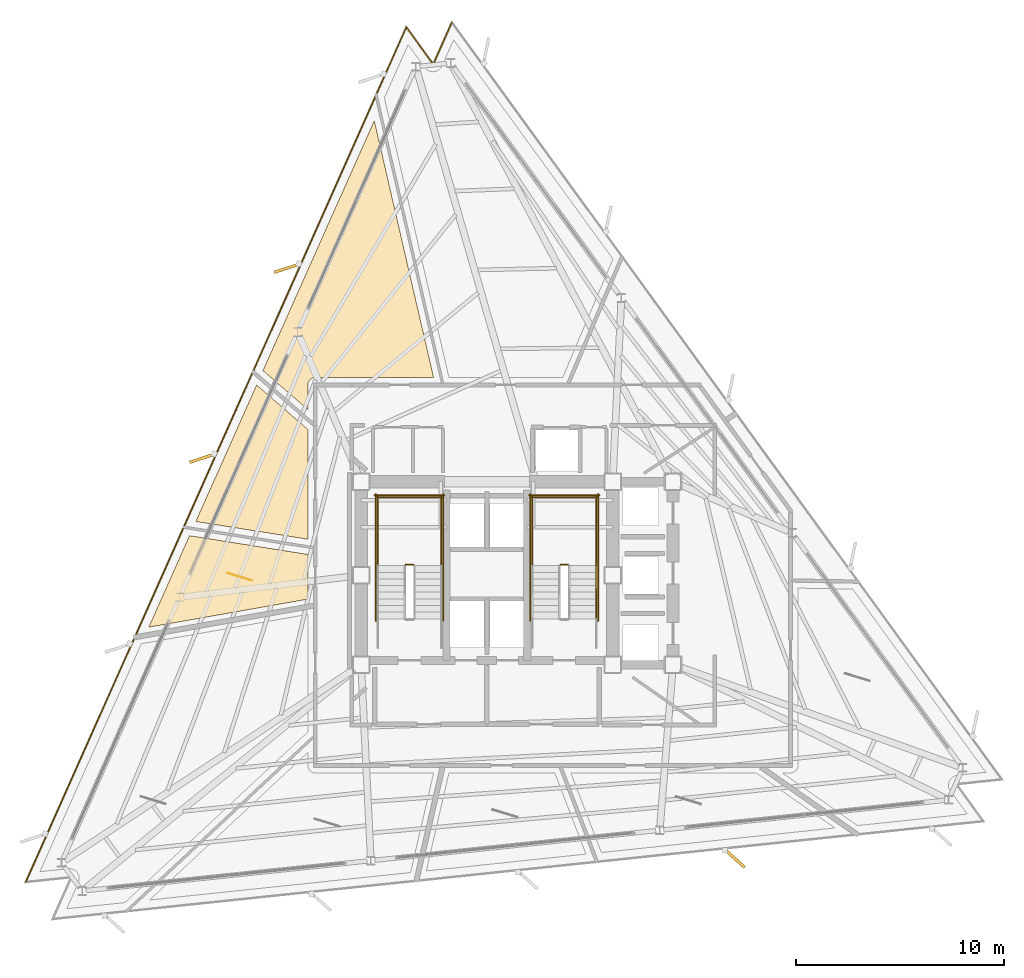
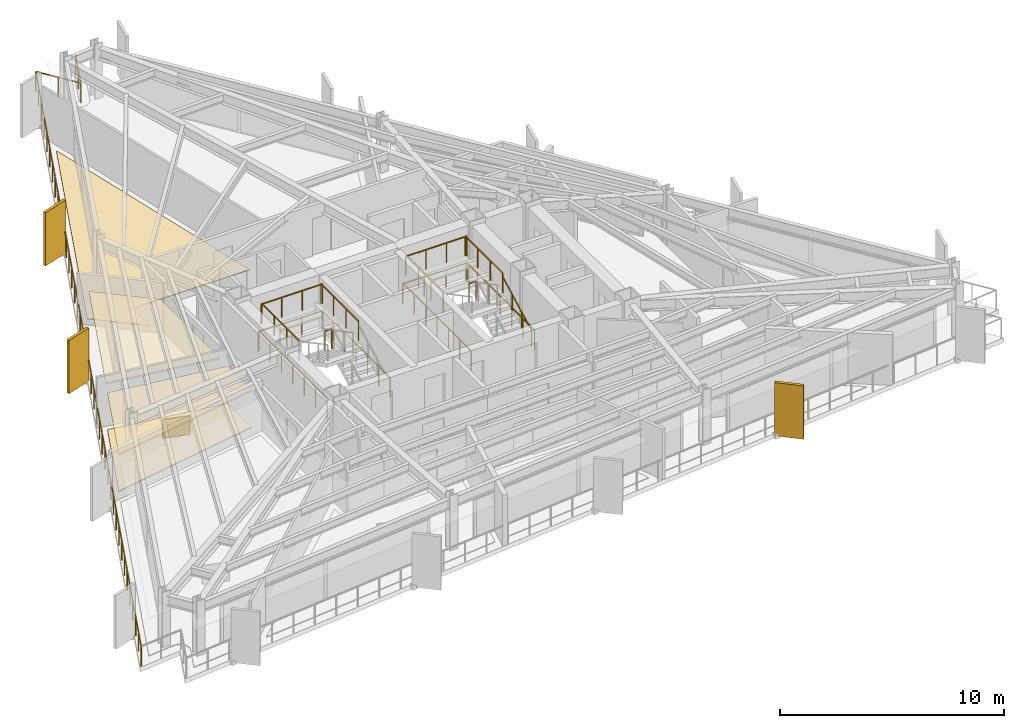
# One storey, part 11 of 12: 16 railings, 5 coverings, 3 shading devices.
"""IFC4 building model written with IfcOpenShell, lengths in metres."""

from ifc_helpers import new_model, si_unit, direction, frame, origin, origin_2d, place, context, subcontext, project, spatial, polyline, rectangle, outline, extrude, material, layer, layer_set, type_object, element, save


model = new_model("IFC4")

# Units and contexts
model_context = context("Model", 3, precision=1e-05, world=origin(), true_north=direction((0.0, 1.0)))
body_context = subcontext(model_context, "Body", "Model", "MODEL_VIEW")
ifc_project = project(units=[si_unit("LENGTHUNIT", "METRE"), si_unit("AREAUNIT", "SQUARE_METRE"), si_unit("VOLUMEUNIT", "CUBIC_METRE"), si_unit("PLANEANGLEUNIT", "RADIAN"), si_unit("MASSUNIT", "GRAM", prefix="KILO")], contexts=[model_context])

# Site, building, storey
site_placement = place(None, origin())
site = spatial("IfcSite", under=ifc_project, at=site_placement, CompositionType="ELEMENT")
building_placement = place(site_placement, origin())
building = spatial("IfcBuilding", under=site, at=building_placement, Name="Rocaltana Carrier Exchange", CompositionType="ELEMENT")
storey_placement = place(building_placement, frame((0.0, 0.0, 116.800048828125)))
storey = spatial("IfcBuildingStorey", under=building, at=storey_placement, Name="L36", CompositionType="ELEMENT", Elevation=116.800048828125)

# Coverings
ifc_material_1 = material(Name="Honed Bogota Sandstone Tile", Category="masonry")
ifc_layer_1 = layer(ifc_material_1, 0.0400390625)
ifc_layer_set_1 = layer_set([ifc_layer_1], Name="Honed Bogota Sandstone Tile")
covering_type_1 = type_object("IfcCoveringType", Name="Honed Stone Lobby Flooring 40", PredefinedType="FLOORING", material=ifc_layer_set_1)
covering_1_placement = place(storey_placement, origin())
element("IfcCovering", 1, at=covering_1_placement, inside=storey, type_object=covering_type_1, Name="L36 Peering Conference Room Finish Floor", PredefinedType="FLOORING", context=body_context, shape_type="SweptSolid", body=[
    extrude(outline(polyline([(-14.3017578125, 1.900634765625), (-8.610107421875, 0.999267578125), (-8.610107421875, -1.152587890625), (-16.26171875, -2.501708984375), (-14.3017578125, 1.900634765625)])), origin(), (0.0, 0.0, 1.0), 0.0400390625),
])
covering_2_placement = place(storey_placement, origin())
element("IfcCovering", 2, at=covering_2_placement, inside=storey, type_object=covering_type_1, Name="L36 Incident Briefing Room Finish Floor", PredefinedType="FLOORING", context=body_context, shape_type="SweptSolid", body=[
    extrude(outline(polyline([(-5.416015625, 21.8583984375), (-2.56494140625, 9.510009765625), (-8.25, 9.510009765625), (-8.263671875, 9.509765625), (-8.271484375, 9.50927734375), (-8.298828125, 9.506591796875), (-8.306640625, 9.50537109375), (-8.33349609375, 9.5), (-8.34130859375, 9.498291015625), (-8.36767578125, 9.490234375), (-8.375, 9.487548828125), (-8.400390625, 9.47705078125), (-8.407470703125, 9.4736328125), (-8.431640625, 9.460693359375), (-8.4384765625, 9.456787109375), (-8.461181640625, 9.44140625), (-8.467529296875, 9.436767578125), (-8.48876953125, 9.419189453125), (-8.49462890625, 9.4140625), (-8.513916015625, 9.39453125), (-8.519287109375, 9.388916015625), (-8.53662109375, 9.367431640625), (-8.54150390625, 9.361083984375), (-8.556640625, 9.33837890625), (-8.560791015625, 9.331787109375), (-8.57373046875, 9.307373046875), (-8.576904296875, 9.30029296875), (-8.58740234375, 9.27490234375), (-8.590087890625, 9.267578125), (-8.59814453125, 9.2412109375), (-8.60009765625, 9.233642578125), (-8.60546875, 9.206787109375), (-8.606689453125, 9.198974609375), (-8.609375, 9.171630859375), (-8.609619140625, 9.163818359375), (-8.610107421875, 9.14990234375), (-8.610107421875, 7.961669921875), (-10.76806640625, 9.83740234375), (-5.416015625, 21.8583984375)])), origin(), (0.0, 0.0, 1.0), 0.0400390625),
])
ifc_material_2 = material(Name="Anodised Aluminium 6063-T6", Category="aluminium")
ifc_layer_2 = layer(ifc_material_2, 0.0849609375)
ifc_layer_set_2 = layer_set([ifc_layer_2], Name="Anodised Aluminium 6063-T6")
covering_type_2 = type_object("IfcCoveringType", Name="Linear Baffle Acoustic Ceiling 85", PredefinedType="CEILING", material=ifc_layer_set_2)
covering_3_placement = place(storey_placement, frame((0.0, 0.0, 1.972900390625)))
element("IfcCovering", 3, at=covering_3_placement, inside=storey, type_object=covering_type_2, Name="L36 Peering Conference Room Acoustic Ceiling", PredefinedType="CEILING", context=body_context, shape_type="SweptSolid", body=[
    extrude(outline(polyline([(-14.3017578125, 1.900634765625), (-8.610107421875, 0.999267578125), (-8.610107421875, -1.152587890625), (-16.26171875, -2.501708984375), (-14.3017578125, 1.900634765625)])), origin(), (0.0, 0.0, 1.0), 0.0849609375),
])
covering_4_placement = place(storey_placement, frame((0.0, 0.0, 1.972900390625)))
element("IfcCovering", 4, at=covering_4_placement, inside=storey, type_object=covering_type_2, Name="L36 Peering Conference Room Acoustic Ceiling", PredefinedType="CEILING", context=body_context, shape_type="SweptSolid", body=[
    extrude(outline(polyline([(-11.07421875, 9.149658203125), (-8.610107421875, 7.007568359375), (-8.610107421875, 1.728271484375), (-13.99853515625, 2.58154296875), (-11.07421875, 9.149658203125)])), origin(), (0.0, 0.0, 1.0), 0.0849609375),
])

# Railings
ifc_material_3 = material(Name="Brushed Architectural Stainless Tube", Category="steel")
ifc_layer_3 = layer(ifc_material_3, 0.048095703125)
ifc_layer_set_3 = layer_set([ifc_layer_3], Name="Brushed Architectural Stainless Tube")
railing_type_1 = type_object("IfcRailingType", Name="Stair Wall Handrail 920", PredefinedType="HANDRAIL", material=ifc_layer_set_3)
railing_1_placement = place(storey_placement, frame((5.25, -2.10009765625, 0.1689453125)))
element("IfcRailing", 5, at=railing_1_placement, inside=storey, type_object=railing_type_1, Name="L36 ST-2 stair handrail 1", PredefinedType="HANDRAIL", context=body_context, shape_type="SweptSolid", body=[
    extrude(rectangle(XDim=0.048095703125, YDim=0.048095703125, at=origin_2d()), frame((0.0, 0.0, 0.8759765625), z_axis=(0.0, 0.884394423565, 0.466740295633), x_axis=(-1.0, 0.0, 0.0)), (0.0, 0.0, 1.0), 2.894775390625),
    extrude(rectangle(XDim=0.0419921875, YDim=0.0419921875, at=origin_2d()), origin(), (0.0, 0.0, 1.0), 0.851806640625),
    extrude(rectangle(XDim=0.0419921875, YDim=0.0419921875, at=origin_2d()), frame((0.0, 0.853271484375, 0.450439453125)), (0.0, 0.0, 1.0), 0.851806640625),
    extrude(rectangle(XDim=0.0419921875, YDim=0.0419921875, at=origin_2d()), frame((0.0, 1.706787109375, 0.900634765625)), (0.0, 0.0, 1.0), 0.851806640625),
    extrude(rectangle(XDim=0.0419921875, YDim=0.0419921875, at=origin_2d()), frame((0.0, 2.56005859375, 1.35107421875)), (0.0, 0.0, 1.0), 0.851806640625),
])
ifc_material_4 = material(Name="Powder-Coated Aluminium 6063-T6", Category="aluminium")
ifc_layer_4 = layer(ifc_material_4, 0.048095703125)
ifc_layer_set_4 = layer_set([ifc_layer_4], Name="Powder-Coated Aluminium 6063-T6")
railing_type_2 = type_object("IfcRailingType", Name="Stair Well Guardrail 1100", PredefinedType="GUARDRAIL", material=ifc_layer_set_4)
railing_2_placement = place(storey_placement, frame((-3.5400390625, 0.510009765625, 1.52001953125)))
element("IfcRailing", 6, at=railing_2_placement, inside=storey, type_object=railing_type_2, Name="L36 ST-1 stair guard 2", PredefinedType="GUARDRAIL", context=body_context, shape_type="SweptSolid", body=[
    extrude(rectangle(XDim=0.048095703125, YDim=0.048095703125, at=origin_2d()), frame((0.0, 0.0, 1.076171875), z_axis=(-1.0, 0.0, 0.0), x_axis=(0.0, -1.0, 0.0)), (0.0, 0.0, 1.0), 0.35986328125),
    extrude(rectangle(XDim=0.0419921875, YDim=0.0419921875, at=origin_2d()), origin(), (0.0, 0.0, 1.0), 1.052001953125),
    extrude(rectangle(XDim=0.0419921875, YDim=0.0419921875, at=origin_2d()), frame((-0.35986328125, 0.0, 0.0)), (0.0, 0.0, 1.0), 1.052001953125),
])
for number, where, name in (
    (7, (-2.18994140625, 0.4599609375, 1.52001953125), "L36 ST-1 stair guard 3"),
    (8, (-5.25, 0.4599609375, 1.52001953125), "L36 ST-1 stair guard 4"),
):
    element("IfcRailing", number, at=place(storey_placement, frame(where)), inside=storey, type_object=railing_type_2, Name=name, PredefinedType="GUARDRAIL", context=body_context, shape_type="SweptSolid", body=[
        extrude(rectangle(XDim=0.048095703125, YDim=0.048095703125, at=origin_2d()), frame((0.0, 0.0, 1.076171875), z_axis=(0.0, 1.0, 0.0), x_axis=(-1.0, 0.0, 0.0)), (0.0, 0.0, 1.0), 3.340087890625),
        extrude(rectangle(XDim=0.0419921875, YDim=0.0419921875, at=origin_2d()), origin(), (0.0, 0.0, 1.0), 1.052001953125),
        extrude(rectangle(XDim=0.0419921875, YDim=0.0419921875, at=origin_2d()), frame((0.0, 1.11328125, 0.0)), (0.0, 0.0, 1.0), 1.052001953125),
        extrude(rectangle(XDim=0.0419921875, YDim=0.0419921875, at=origin_2d()), frame((0.0, 2.226806640625, 0.0)), (0.0, 0.0, 1.0), 1.052001953125),
        extrude(rectangle(XDim=0.0419921875, YDim=0.0419921875, at=origin_2d()), frame((0.0, 3.340087890625, 0.0)), (0.0, 0.0, 1.0), 1.052001953125),
    ])
railing_3_placement = place(storey_placement, frame((-2.139892578125, 3.75, 1.52001953125)))
element("IfcRailing", 9, at=railing_3_placement, inside=storey, type_object=railing_type_2, Name="L36 ST-1 stair guard 5", PredefinedType="GUARDRAIL", context=body_context, shape_type="SweptSolid", body=[
    extrude(rectangle(XDim=0.048095703125, YDim=0.048095703125, at=origin_2d()), frame((0.0, 0.0, 1.076171875), z_axis=(-1.0, 0.0, 0.0), x_axis=(0.0, -1.0, 0.0)), (0.0, 0.0, 1.0), 3.16015625),
    extrude(rectangle(XDim=0.0419921875, YDim=0.0419921875, at=origin_2d()), origin(), (0.0, 0.0, 1.0), 1.052001953125),
    extrude(rectangle(XDim=0.0419921875, YDim=0.0419921875, at=origin_2d()), frame((-1.053466796875, 0.0, 0.0)), (0.0, 0.0, 1.0), 1.052001953125),
    extrude(rectangle(XDim=0.0419921875, YDim=0.0419921875, at=origin_2d()), frame((-2.106689453125, 0.0, 0.0)), (0.0, 0.0, 1.0), 1.052001953125),
    extrude(rectangle(XDim=0.0419921875, YDim=0.0419921875, at=origin_2d()), frame((-3.16015625, 0.0, 0.0)), (0.0, 0.0, 1.0), 1.052001953125),
])
for number, where, name in (
    (10, (-2.090087890625, -2.199951171875, 0.0), "L36 ST-1 stair guard 10"),
    (11, (-5.35009765625, -2.199951171875, 0.0), "L36 ST-1 stair guard 11"),
):
    element("IfcRailing", number, at=place(storey_placement, frame(where)), inside=storey, type_object=railing_type_2, Name=name, PredefinedType="GUARDRAIL", context=body_context, shape_type="SweptSolid", body=[
        extrude(rectangle(XDim=0.048095703125, YDim=0.048095703125, at=origin_2d()), frame((0.0, 0.0, 1.076171875), z_axis=(0.0, 1.0, 0.0), x_axis=(-1.0, 0.0, 0.0)), (0.0, 0.0, 1.0), 6.099853515625),
        extrude(rectangle(XDim=0.0419921875, YDim=0.0419921875, at=origin_2d()), origin(), (0.0, 0.0, 1.0), 1.052001953125),
        extrude(rectangle(XDim=0.0419921875, YDim=0.0419921875, at=origin_2d()), frame((0.0, 1.0166015625, 0.0)), (0.0, 0.0, 1.0), 1.052001953125),
        extrude(rectangle(XDim=0.0419921875, YDim=0.0419921875, at=origin_2d()), frame((0.0, 2.033203125, 0.0)), (0.0, 0.0, 1.0), 1.052001953125),
        extrude(rectangle(XDim=0.0419921875, YDim=0.0419921875, at=origin_2d()), frame((0.0, 3.0498046875, 0.0)), (0.0, 0.0, 1.0), 1.052001953125),
        extrude(rectangle(XDim=0.0419921875, YDim=0.0419921875, at=origin_2d()), frame((0.0, 4.066650390625, 0.0)), (0.0, 0.0, 1.0), 1.052001953125),
        extrude(rectangle(XDim=0.0419921875, YDim=0.0419921875, at=origin_2d()), frame((0.0, 5.083251953125, 0.0)), (0.0, 0.0, 1.0), 1.052001953125),
        extrude(rectangle(XDim=0.0419921875, YDim=0.0419921875, at=origin_2d()), frame((0.0, 6.099853515625, 0.0)), (0.0, 0.0, 1.0), 1.052001953125),
    ])
railing_4_placement = place(storey_placement, frame((-2.0400390625, 3.85009765625, 0.0)))
element("IfcRailing", 12, at=railing_4_placement, inside=storey, type_object=railing_type_2, Name="L36 ST-1 stair guard 12", PredefinedType="GUARDRAIL", context=body_context, shape_type="SweptSolid", body=[
    extrude(rectangle(XDim=0.048095703125, YDim=0.048095703125, at=origin_2d()), frame((0.0, 0.0, 1.076171875), z_axis=(-1.0, 0.0, 0.0), x_axis=(0.0, -1.0, 0.0)), (0.0, 0.0, 1.0), 3.35986328125),
    extrude(rectangle(XDim=0.0419921875, YDim=0.0419921875, at=origin_2d()), origin(), (0.0, 0.0, 1.0), 1.052001953125),
    extrude(rectangle(XDim=0.0419921875, YDim=0.0419921875, at=origin_2d()), frame((-1.119873046875, 0.0, 0.0)), (0.0, 0.0, 1.0), 1.052001953125),
    extrude(rectangle(XDim=0.0419921875, YDim=0.0419921875, at=origin_2d()), frame((-2.239990234375, 0.0, 0.0)), (0.0, 0.0, 1.0), 1.052001953125),
    extrude(rectangle(XDim=0.0419921875, YDim=0.0419921875, at=origin_2d()), frame((-3.35986328125, 0.0, 0.0)), (0.0, 0.0, 1.0), 1.052001953125),
])
railing_5_placement = place(storey_placement, frame((3.89990234375, 0.510009765625, 1.52001953125)))
element("IfcRailing", 13, at=railing_5_placement, inside=storey, type_object=railing_type_2, Name="L36 ST-2 stair guard 2", PredefinedType="GUARDRAIL", context=body_context, shape_type="SweptSolid", body=[
    extrude(rectangle(XDim=0.048095703125, YDim=0.048095703125, at=origin_2d()), frame((0.0, 0.0, 1.076171875), z_axis=(-1.0, 0.0, 0.0), x_axis=(0.0, -1.0, 0.0)), (0.0, 0.0, 1.0), 0.35986328125),
    extrude(rectangle(XDim=0.0419921875, YDim=0.0419921875, at=origin_2d()), origin(), (0.0, 0.0, 1.0), 1.052001953125),
    extrude(rectangle(XDim=0.0419921875, YDim=0.0419921875, at=origin_2d()), frame((-0.35986328125, 0.0, 0.0)), (0.0, 0.0, 1.0), 1.052001953125),
])
for number, where, name in (
    (14, (5.25, 0.4599609375, 1.52001953125), "L36 ST-2 stair guard 3"),
    (15, (2.18994140625, 0.4599609375, 1.52001953125), "L36 ST-2 stair guard 4"),
):
    element("IfcRailing", number, at=place(storey_placement, frame(where)), inside=storey, type_object=railing_type_2, Name=name, PredefinedType="GUARDRAIL", context=body_context, shape_type="SweptSolid", body=[
        extrude(rectangle(XDim=0.048095703125, YDim=0.048095703125, at=origin_2d()), frame((0.0, 0.0, 1.076171875), z_axis=(0.0, 1.0, 0.0), x_axis=(-1.0, 0.0, 0.0)), (0.0, 0.0, 1.0), 3.340087890625),
        extrude(rectangle(XDim=0.0419921875, YDim=0.0419921875, at=origin_2d()), origin(), (0.0, 0.0, 1.0), 1.052001953125),
        extrude(rectangle(XDim=0.0419921875, YDim=0.0419921875, at=origin_2d()), frame((0.0, 1.11328125, 0.0)), (0.0, 0.0, 1.0), 1.052001953125),
        extrude(rectangle(XDim=0.0419921875, YDim=0.0419921875, at=origin_2d()), frame((0.0, 2.226806640625, 0.0)), (0.0, 0.0, 1.0), 1.052001953125),
        extrude(rectangle(XDim=0.0419921875, YDim=0.0419921875, at=origin_2d()), frame((0.0, 3.340087890625, 0.0)), (0.0, 0.0, 1.0), 1.052001953125),
    ])
railing_6_placement = place(storey_placement, frame((5.300048828125, 3.75, 1.52001953125)))
element("IfcRailing", 16, at=railing_6_placement, inside=storey, type_object=railing_type_2, Name="L36 ST-2 stair guard 5", PredefinedType="GUARDRAIL", context=body_context, shape_type="SweptSolid", body=[
    extrude(rectangle(XDim=0.048095703125, YDim=0.048095703125, at=origin_2d()), frame((0.0, 0.0, 1.076171875), z_axis=(-1.0, 0.0, 0.0), x_axis=(0.0, -1.0, 0.0)), (0.0, 0.0, 1.0), 3.16015625),
    extrude(rectangle(XDim=0.0419921875, YDim=0.0419921875, at=origin_2d()), origin(), (0.0, 0.0, 1.0), 1.052001953125),
    extrude(rectangle(XDim=0.0419921875, YDim=0.0419921875, at=origin_2d()), frame((-1.053466796875, 0.0, 0.0)), (0.0, 0.0, 1.0), 1.052001953125),
    extrude(rectangle(XDim=0.0419921875, YDim=0.0419921875, at=origin_2d()), frame((-2.106689453125, 0.0, 0.0)), (0.0, 0.0, 1.0), 1.052001953125),
    extrude(rectangle(XDim=0.0419921875, YDim=0.0419921875, at=origin_2d()), frame((-3.16015625, 0.0, 0.0)), (0.0, 0.0, 1.0), 1.052001953125),
])
for number, where, name in (
    (17, (5.35009765625, -2.199951171875, 0.0), "L36 ST-2 stair guard 10"),
    (18, (2.090087890625, -2.199951171875, 0.0), "L36 ST-2 stair guard 11"),
):
    element("IfcRailing", number, at=place(storey_placement, frame(where)), inside=storey, type_object=railing_type_2, Name=name, PredefinedType="GUARDRAIL", context=body_context, shape_type="SweptSolid", body=[
        extrude(rectangle(XDim=0.048095703125, YDim=0.048095703125, at=origin_2d()), frame((0.0, 0.0, 1.076171875), z_axis=(0.0, 1.0, 0.0), x_axis=(-1.0, 0.0, 0.0)), (0.0, 0.0, 1.0), 6.099853515625),
        extrude(rectangle(XDim=0.0419921875, YDim=0.0419921875, at=origin_2d()), origin(), (0.0, 0.0, 1.0), 1.052001953125),
        extrude(rectangle(XDim=0.0419921875, YDim=0.0419921875, at=origin_2d()), frame((0.0, 1.0166015625, 0.0)), (0.0, 0.0, 1.0), 1.052001953125),
        extrude(rectangle(XDim=0.0419921875, YDim=0.0419921875, at=origin_2d()), frame((0.0, 2.033203125, 0.0)), (0.0, 0.0, 1.0), 1.052001953125),
        extrude(rectangle(XDim=0.0419921875, YDim=0.0419921875, at=origin_2d()), frame((0.0, 3.0498046875, 0.0)), (0.0, 0.0, 1.0), 1.052001953125),
        extrude(rectangle(XDim=0.0419921875, YDim=0.0419921875, at=origin_2d()), frame((0.0, 4.066650390625, 0.0)), (0.0, 0.0, 1.0), 1.052001953125),
        extrude(rectangle(XDim=0.0419921875, YDim=0.0419921875, at=origin_2d()), frame((0.0, 5.083251953125, 0.0)), (0.0, 0.0, 1.0), 1.052001953125),
        extrude(rectangle(XDim=0.0419921875, YDim=0.0419921875, at=origin_2d()), frame((0.0, 6.099853515625, 0.0)), (0.0, 0.0, 1.0), 1.052001953125),
    ])
railing_7_placement = place(storey_placement, frame((5.39990234375, 3.85009765625, 0.0)))
element("IfcRailing", 19, at=railing_7_placement, inside=storey, type_object=railing_type_2, Name="L36 ST-2 stair guard 12", PredefinedType="GUARDRAIL", context=body_context, shape_type="SweptSolid", body=[
    extrude(rectangle(XDim=0.048095703125, YDim=0.048095703125, at=origin_2d()), frame((0.0, 0.0, 1.076171875), z_axis=(-1.0, 0.0, 0.0), x_axis=(0.0, -1.0, 0.0)), (0.0, 0.0, 1.0), 3.35986328125),
    extrude(rectangle(XDim=0.0419921875, YDim=0.0419921875, at=origin_2d()), origin(), (0.0, 0.0, 1.0), 1.052001953125),
    extrude(rectangle(XDim=0.0419921875, YDim=0.0419921875, at=origin_2d()), frame((-1.119873046875, 0.0, 0.0)), (0.0, 0.0, 1.0), 1.052001953125),
    extrude(rectangle(XDim=0.0419921875, YDim=0.0419921875, at=origin_2d()), frame((-2.239990234375, 0.0, 0.0)), (0.0, 0.0, 1.0), 1.052001953125),
    extrude(rectangle(XDim=0.0419921875, YDim=0.0419921875, at=origin_2d()), frame((-3.35986328125, 0.0, 0.0)), (0.0, 0.0, 1.0), 1.052001953125),
])

# Covering
ifc_material_5 = material(Name="Honed Piedra Muneca Sandstone", Category="masonry")
ifc_layer_5 = layer(ifc_material_5, 0.034912109375)
ifc_layer_set_5 = layer_set([ifc_layer_5], Name="Honed Piedra Muneca Sandstone")
covering_type_3 = type_object("IfcCoveringType", Name="Stone Facade Cladding 35", PredefinedType="CLADDING", material=ifc_layer_set_5)
covering_5_placement = place(storey_placement, frame((-11.89599609375, -0.07666015625, 0.0), z_axis=(0.0, 0.0, 1.0), x_axis=(-0.956304755963, 0.292371704723, 0.0)))
element("IfcCovering", 20, at=covering_5_placement, inside=storey, type_object=covering_type_3, Name="L36 Stone Facade Cladding Panel 1", PredefinedType="CLADDING", context=body_context, shape_type="SweptSolid", body=[
    extrude(rectangle(XDim=1.25, YDim=0.034912109375, at=origin_2d()), origin(), (0.0, 0.0, 1.0), 1.050048828125),
])

# Shading devices
ifc_material_6 = material(Name="Honed Bogota Sandstone & Concrete C45/55", Category="masonry")
ifc_layer_6 = layer(ifc_material_6, 0.139892578125)
ifc_layer_set_6 = layer_set([ifc_layer_6], Name="Honed Bogota Sandstone & Concrete C45/55")
shading_device_type = type_object("IfcShadingDeviceType", Name="Vertical Sandstone Shading Fin 1320x140", PredefinedType="USERDEFINED", material=ifc_layer_set_6)
for number, where, z_axis, x_axis, name in (
    (21, (-9.602783203125, 14.767578125, -0.1201171875), (0.0, 0.0, 1.0), (-0.951056516295, -0.309016994375, 0.0), "L36 Sandstone Vertical Fin F2-02"),
    (22, (-13.670166015625, 5.632080078125, -0.1201171875), (0.0, 0.0, 1.0), (-0.951056516295, -0.309016994375, 0.0), "L36 Sandstone Vertical Fin F2-03"),
    (23, (11.902587890625, -13.609375, -0.1201171875), (0.0, 0.0, 1.0), (0.743144825477, -0.669130606359, 0.0), "L36 Sandstone Vertical Fin F3-04"),
):
    element("IfcShadingDevice", number, at=place(storey_placement, frame(where, z_axis=z_axis, x_axis=x_axis)), inside=storey, type_object=shading_device_type, Name=name, ObjectType="FIN", PredefinedType="USERDEFINED", context=body_context, shape_type="SweptSolid", body=[
        extrude(rectangle(XDim=1.320068359375, YDim=0.139892578125, at=origin_2d()), origin(), (0.0, 0.0, 1.0), 2.907958984375),
    ])

# Railing
ifc_material_7 = material(Name="Powder-Coated Aluminium 6063-T6", Category="aluminium")
ifc_layer_7 = layer(ifc_material_7, 0.06005859375)
ifc_layer_set_7 = layer_set([ifc_layer_7], Name="Powder-Coated Aluminium 6063-T6")
railing_type_3 = type_object("IfcRailingType", Name="Wind-Floor & Terrace Perimeter Guardrail 1100", PredefinedType="GUARDRAIL", material=ifc_layer_set_7)
railing_8_placement = place(storey_placement, frame((-22.175537109375, -14.751953125, 0.0)))
element("IfcRailing", 24, at=railing_8_placement, inside=storey, type_object=railing_type_3, Name="L36 Perimeter Balcony Guardrail 2", PredefinedType="GUARDRAIL", context=body_context, shape_type="SweptSolid", body=[
    extrude(rectangle(XDim=0.048095703125, YDim=0.048095703125, at=origin_2d()), frame((0.0, 0.0, 1.076171875), z_axis=(0.406732474308, 0.913547313686, 0.0), x_axis=(-0.913547313686, 0.406732474308, 0.0)), (0.0, 0.0, 1.0), 44.9921875),
    extrude(rectangle(XDim=0.048095703125, YDim=0.048095703125, at=origin_2d()), frame((18.2998046875, 41.1025390625, 1.076171875), z_axis=(0.587821928992, -0.808990345923, 0.0), x_axis=(0.808990345923, 0.587821928992, 0.0)), (0.0, 0.0, 1.0), 2.199951171875),
    extrude(rectangle(XDim=0.048095703125, YDim=0.048095703125, at=origin_2d()), frame((19.593017578125, 39.32275390625, 1.076171875), z_axis=(0.406725294076, 0.913550510459, 0.0), x_axis=(-0.913550510459, 0.406725294076, 0.0)), (0.0, 0.0, 1.0), 2.199951171875),
    extrude(rectangle(XDim=0.0419921875, YDim=0.0419921875, at=origin_2d()), origin(), (0.0, 0.0, 1.0), 1.052001953125),
    extrude(rectangle(XDim=0.0419921875, YDim=0.0419921875, at=origin_2d()), frame((0.481689453125, 1.08154296875, 0.0)), (0.0, 0.0, 1.0), 1.052001953125),
    extrude(rectangle(XDim=0.0419921875, YDim=0.0419921875, at=origin_2d()), frame((0.963134765625, 2.163330078125, 0.0)), (0.0, 0.0, 1.0), 1.052001953125),
    extrude(rectangle(XDim=0.0419921875, YDim=0.0419921875, at=origin_2d()), frame((1.44482421875, 3.244873046875, 0.0)), (0.0, 0.0, 1.0), 1.052001953125),
    extrude(rectangle(XDim=0.0419921875, YDim=0.0419921875, at=origin_2d()), frame((1.92626953125, 4.32666015625, 0.0)), (0.0, 0.0, 1.0), 1.052001953125),
    extrude(rectangle(XDim=0.0419921875, YDim=0.0419921875, at=origin_2d()), frame((2.407958984375, 5.408203125, 0.0)), (0.0, 0.0, 1.0), 1.052001953125),
    extrude(rectangle(XDim=0.0419921875, YDim=0.0419921875, at=origin_2d()), frame((2.889404296875, 6.489990234375, 0.0)), (0.0, 0.0, 1.0), 1.052001953125),
    extrude(rectangle(XDim=0.0419921875, YDim=0.0419921875, at=origin_2d()), frame((3.37109375, 7.571533203125, 0.0)), (0.0, 0.0, 1.0), 1.052001953125),
    extrude(rectangle(XDim=0.0419921875, YDim=0.0419921875, at=origin_2d()), frame((3.8525390625, 8.653076171875, 0.0)), (0.0, 0.0, 1.0), 1.052001953125),
    extrude(rectangle(XDim=0.0419921875, YDim=0.0419921875, at=origin_2d()), frame((4.334228515625, 9.73486328125, 0.0)), (0.0, 0.0, 1.0), 1.052001953125),
    extrude(rectangle(XDim=0.0419921875, YDim=0.0419921875, at=origin_2d()), frame((4.815673828125, 10.81640625, 0.0)), (0.0, 0.0, 1.0), 1.052001953125),
    extrude(rectangle(XDim=0.0419921875, YDim=0.0419921875, at=origin_2d()), frame((5.29736328125, 11.898193359375, 0.0)), (0.0, 0.0, 1.0), 1.052001953125),
    extrude(rectangle(XDim=0.0419921875, YDim=0.0419921875, at=origin_2d()), frame((5.77880859375, 12.979736328125, 0.0)), (0.0, 0.0, 1.0), 1.052001953125),
    extrude(rectangle(XDim=0.0419921875, YDim=0.0419921875, at=origin_2d()), frame((6.260498046875, 14.061279296875, 0.0)), (0.0, 0.0, 1.0), 1.052001953125),
    extrude(rectangle(XDim=0.0419921875, YDim=0.0419921875, at=origin_2d()), frame((6.741943359375, 15.14306640625, 0.0)), (0.0, 0.0, 1.0), 1.052001953125),
    extrude(rectangle(XDim=0.0419921875, YDim=0.0419921875, at=origin_2d()), frame((7.2236328125, 16.224609375, 0.0)), (0.0, 0.0, 1.0), 1.052001953125),
    extrude(rectangle(XDim=0.0419921875, YDim=0.0419921875, at=origin_2d()), frame((7.705078125, 17.306396484375, 0.0)), (0.0, 0.0, 1.0), 1.052001953125),
    extrude(rectangle(XDim=0.0419921875, YDim=0.0419921875, at=origin_2d()), frame((8.186767578125, 18.387939453125, 0.0)), (0.0, 0.0, 1.0), 1.052001953125),
    extrude(rectangle(XDim=0.0419921875, YDim=0.0419921875, at=origin_2d()), frame((8.668212890625, 19.4697265625, 0.0)), (0.0, 0.0, 1.0), 1.052001953125),
    extrude(rectangle(XDim=0.0419921875, YDim=0.0419921875, at=origin_2d()), frame((9.14990234375, 20.55126953125, 0.0)), (0.0, 0.0, 1.0), 1.052001953125),
    extrude(rectangle(XDim=0.0419921875, YDim=0.0419921875, at=origin_2d()), frame((9.631591796875, 21.6328125, 0.0)), (0.0, 0.0, 1.0), 1.052001953125),
    extrude(rectangle(XDim=0.0419921875, YDim=0.0419921875, at=origin_2d()), frame((10.113037109375, 22.714599609375, 0.0)), (0.0, 0.0, 1.0), 1.052001953125),
    extrude(rectangle(XDim=0.0419921875, YDim=0.0419921875, at=origin_2d()), frame((10.5947265625, 23.796142578125, 0.0)), (0.0, 0.0, 1.0), 1.052001953125),
    extrude(rectangle(XDim=0.0419921875, YDim=0.0419921875, at=origin_2d()), frame((11.076171875, 24.8779296875, 0.0)), (0.0, 0.0, 1.0), 1.052001953125),
    extrude(rectangle(XDim=0.0419921875, YDim=0.0419921875, at=origin_2d()), frame((11.557861328125, 25.95947265625, 0.0)), (0.0, 0.0, 1.0), 1.052001953125),
    extrude(rectangle(XDim=0.0419921875, YDim=0.0419921875, at=origin_2d()), frame((12.039306640625, 27.041259765625, 0.0)), (0.0, 0.0, 1.0), 1.052001953125),
    extrude(rectangle(XDim=0.0419921875, YDim=0.0419921875, at=origin_2d()), frame((12.52099609375, 28.122802734375, 0.0)), (0.0, 0.0, 1.0), 1.052001953125),
    extrude(rectangle(XDim=0.0419921875, YDim=0.0419921875, at=origin_2d()), frame((13.00244140625, 29.204345703125, 0.0)), (0.0, 0.0, 1.0), 1.052001953125),
    extrude(rectangle(XDim=0.0419921875, YDim=0.0419921875, at=origin_2d()), frame((13.484130859375, 30.2861328125, 0.0)), (0.0, 0.0, 1.0), 1.052001953125),
    extrude(rectangle(XDim=0.0419921875, YDim=0.0419921875, at=origin_2d()), frame((13.965576171875, 31.36767578125, 0.0)), (0.0, 0.0, 1.0), 1.052001953125),
    extrude(rectangle(XDim=0.0419921875, YDim=0.0419921875, at=origin_2d()), frame((14.447265625, 32.449462890625, 0.0)), (0.0, 0.0, 1.0), 1.052001953125),
    extrude(rectangle(XDim=0.0419921875, YDim=0.0419921875, at=origin_2d()), frame((14.9287109375, 33.531005859375, 0.0)), (0.0, 0.0, 1.0), 1.052001953125),
    extrude(rectangle(XDim=0.0419921875, YDim=0.0419921875, at=origin_2d()), frame((15.410400390625, 34.612548828125, 0.0)), (0.0, 0.0, 1.0), 1.052001953125),
    extrude(rectangle(XDim=0.0419921875, YDim=0.0419921875, at=origin_2d()), frame((15.891845703125, 35.6943359375, 0.0)), (0.0, 0.0, 1.0), 1.052001953125),
    extrude(rectangle(XDim=0.0419921875, YDim=0.0419921875, at=origin_2d()), frame((16.37353515625, 36.77587890625, 0.0)), (0.0, 0.0, 1.0), 1.052001953125),
    extrude(rectangle(XDim=0.0419921875, YDim=0.0419921875, at=origin_2d()), frame((16.85498046875, 37.857666015625, 0.0)), (0.0, 0.0, 1.0), 1.052001953125),
    extrude(rectangle(XDim=0.0419921875, YDim=0.0419921875, at=origin_2d()), frame((17.336669921875, 38.939208984375, 0.0)), (0.0, 0.0, 1.0), 1.052001953125),
    extrude(rectangle(XDim=0.0419921875, YDim=0.0419921875, at=origin_2d()), frame((17.818115234375, 40.02099609375, 0.0)), (0.0, 0.0, 1.0), 1.052001953125),
    extrude(rectangle(XDim=0.0419921875, YDim=0.0419921875, at=origin_2d()), frame((18.2998046875, 41.1025390625, 0.0)), (0.0, 0.0, 1.0), 1.052001953125),
    extrude(rectangle(XDim=0.0419921875, YDim=0.0419921875, at=origin_2d()), frame((18.9462890625, 40.212646484375, 0.0)), (0.0, 0.0, 1.0), 1.052001953125),
    extrude(rectangle(XDim=0.0419921875, YDim=0.0419921875, at=origin_2d()), frame((19.593017578125, 39.32275390625, 0.0)), (0.0, 0.0, 1.0), 1.052001953125),
    extrude(rectangle(XDim=0.0419921875, YDim=0.0419921875, at=origin_2d()), frame((20.04052734375, 40.32763671875, 0.0)), (0.0, 0.0, 1.0), 1.052001953125),
    extrude(rectangle(XDim=0.0419921875, YDim=0.0419921875, at=origin_2d()), frame((20.48779296875, 41.33251953125, 0.0)), (0.0, 0.0, 1.0), 1.052001953125),
])

save(model, "model.ifc")
